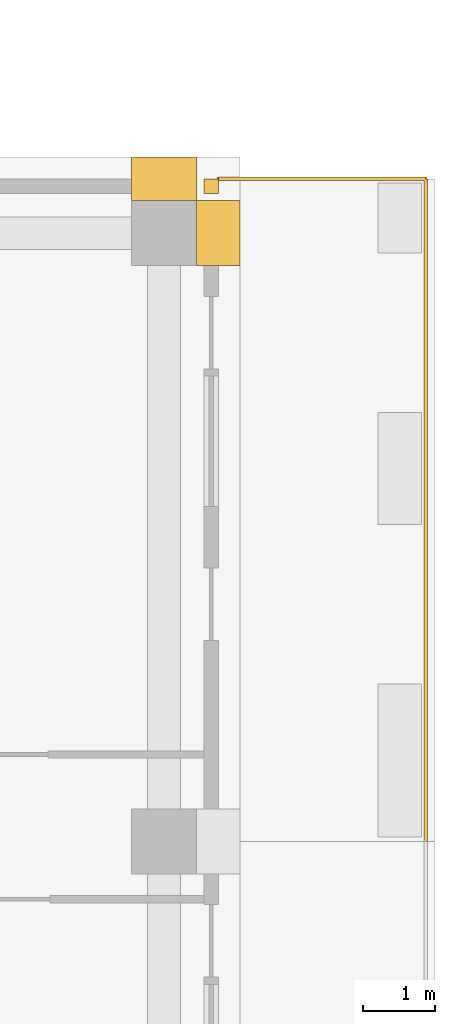
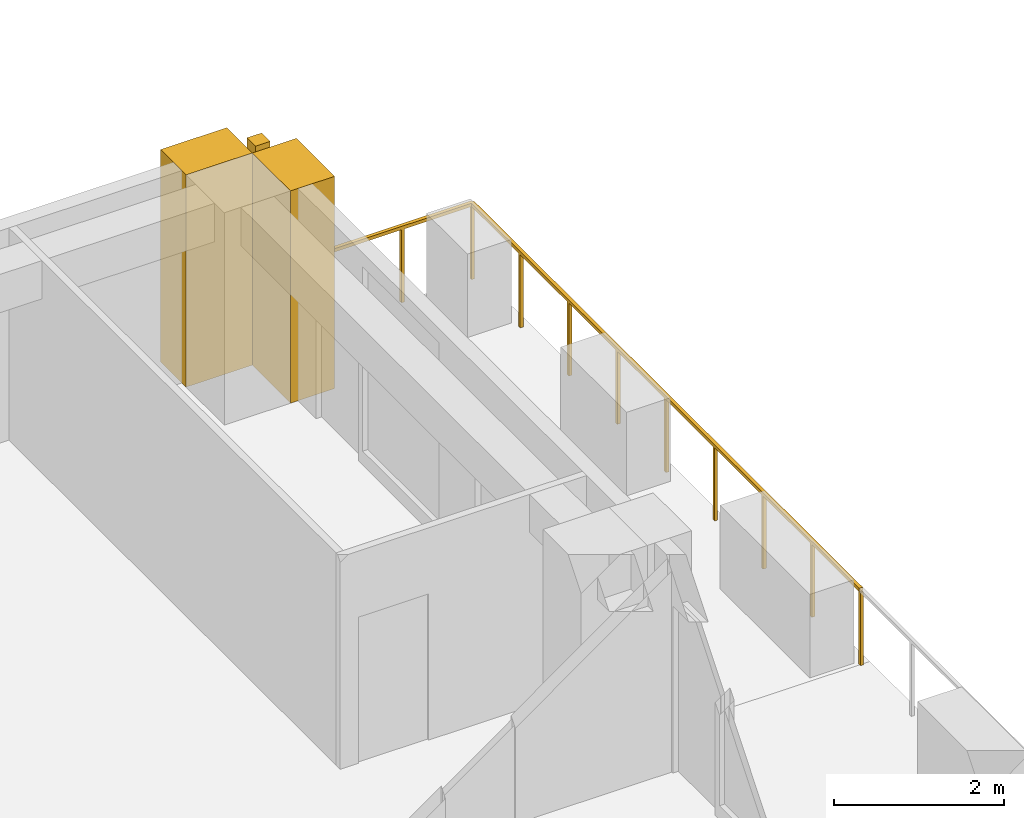
# One storey, part 16 of 16: 3 coverings, 1 railing.
"""IFC4 building model written with IfcOpenShell, lengths in metres."""

from ifc_helpers import new_model, si_unit, direction, frame, origin, origin_2d, place, context, subcontext, project, spatial, polyline, rectangle, outline, extrude, material, type_object, element, save


model = new_model("IFC4")

# Units and contexts
model_context = context("Model", 3, precision=1e-05, world=origin(), true_north=direction((0.0, 1.0)))
body_context = subcontext(model_context, "Body", "Model", "MODEL_VIEW")
ifc_project = project(units=[si_unit("LENGTHUNIT", "METRE"), si_unit("AREAUNIT", "SQUARE_METRE"), si_unit("VOLUMEUNIT", "CUBIC_METRE"), si_unit("PLANEANGLEUNIT", "RADIAN"), si_unit("MASSUNIT", "GRAM", prefix="KILO")], contexts=[model_context])

# Site, building, storey
site_placement = place(None, origin())
site = spatial("IfcSite", under=ifc_project, at=site_placement, CompositionType="ELEMENT")
building_placement = place(site_placement, origin())
building = spatial("IfcBuilding", under=site, at=building_placement, Name="Vermilion Ogive Tower", CompositionType="ELEMENT")
storey_placement = place(building_placement, frame((0.0, 0.0, 251.050048828125)))
storey = spatial("IfcBuildingStorey", under=building, at=storey_placement, Name="L66", CompositionType="ELEMENT", Elevation=251.050048828125)

# Railing
ifc_material_1 = material(Name="Stainless steel and glass", Category="steel")
railing_type = type_object("IfcRailingType", Name="Balcony guard", PredefinedType="GUARDRAIL", material=ifc_material_1)
railing_placement = place(storey_placement, frame((28.813720703125, 4.199951171875, -0.0400390625)))
element("IfcRailing", 1, at=railing_placement, inside=storey, type_object=railing_type, Name="Guard E03", PredefinedType="GUARDRAIL", context=body_context, shape_type="SweptSolid", body=[
    extrude(rectangle(XDim=0.048095703125, YDim=0.048095703125, at=origin_2d()), frame((0.0, 0.0, 1.076171875), z_axis=(0.0, 1.0, 0.0), x_axis=(-1.0, 0.0, 0.0)), (0.0, 0.0, 1.0), 9.150146484375),
    extrude(rectangle(XDim=0.048095703125, YDim=0.048095703125, at=origin_2d()), frame((0.0, 9.150146484375, 1.076171875), z_axis=(-1.0, 0.0, 0.0), x_axis=(0.0, -1.0, 0.0)), (0.0, 0.0, 1.0), 2.86376953125),
    extrude(rectangle(XDim=0.0419921875, YDim=0.0419921875, at=origin_2d()), origin(), (0.0, 0.0, 1.0), 1.052001953125),
    extrude(rectangle(XDim=0.0419921875, YDim=0.0419921875, at=origin_2d()), frame((0.0, 1.143798828125, 0.0)), (0.0, 0.0, 1.0), 1.052001953125),
    extrude(rectangle(XDim=0.0419921875, YDim=0.0419921875, at=origin_2d()), frame((0.0, 2.28759765625, 0.0)), (0.0, 0.0, 1.0), 1.052001953125),
    extrude(rectangle(XDim=0.0419921875, YDim=0.0419921875, at=origin_2d()), frame((0.0, 3.431396484375, 0.0)), (0.0, 0.0, 1.0), 1.052001953125),
    extrude(rectangle(XDim=0.0419921875, YDim=0.0419921875, at=origin_2d()), frame((0.0, 4.5751953125, 0.0)), (0.0, 0.0, 1.0), 1.052001953125),
    extrude(rectangle(XDim=0.0419921875, YDim=0.0419921875, at=origin_2d()), frame((0.0, 5.71875, 0.0)), (0.0, 0.0, 1.0), 1.052001953125),
    extrude(rectangle(XDim=0.0419921875, YDim=0.0419921875, at=origin_2d()), frame((0.0, 6.862548828125, 0.0)), (0.0, 0.0, 1.0), 1.052001953125),
    extrude(rectangle(XDim=0.0419921875, YDim=0.0419921875, at=origin_2d()), frame((0.0, 8.00634765625, 0.0)), (0.0, 0.0, 1.0), 1.052001953125),
    extrude(rectangle(XDim=0.0419921875, YDim=0.0419921875, at=origin_2d()), frame((0.0, 9.150146484375, 0.0)), (0.0, 0.0, 1.0), 1.052001953125),
    extrude(rectangle(XDim=0.0419921875, YDim=0.0419921875, at=origin_2d()), frame((-0.95458984375, 9.150146484375, 0.0)), (0.0, 0.0, 1.0), 1.052001953125),
    extrude(rectangle(XDim=0.0419921875, YDim=0.0419921875, at=origin_2d()), frame((-1.9091796875, 9.150146484375, 0.0)), (0.0, 0.0, 1.0), 1.052001953125),
    extrude(rectangle(XDim=0.0419921875, YDim=0.0419921875, at=origin_2d()), frame((-2.86376953125, 9.150146484375, 0.0)), (0.0, 0.0, 1.0), 1.052001953125),
])

# Coverings
ifc_material_2 = material(Name="Stone cladding", Category="masonry")
covering_type = type_object("IfcCoveringType", Name="Stone pier", PredefinedType="CLADDING", material=ifc_material_2)
covering_1_placement = place(storey_placement, origin())
element("IfcCovering", 2, at=covering_1_placement, inside=storey, type_object=covering_type, Name="Stone corner pier EE1", PredefinedType="CLADDING", context=body_context, shape_type="SweptSolid", body=[
    extrude(outline(polyline([(25.75, 13.14990234375), (25.75, 13.35009765625), (25.949951171875, 13.35009765625), (25.949951171875, 13.14990234375), (25.75, 13.14990234375)])), origin(), (0.0, 0.0, 1.0), 3.050048828125),
])
covering_2_placement = place(storey_placement, origin())
element("IfcCovering", 3, at=covering_2_placement, inside=storey, type_object=covering_type, Name="Stone pier P+0252+126E", PredefinedType="CLADDING", context=body_context, shape_type="SweptSolid", body=[
    extrude(outline(polyline([(26.25, 13.050048828125), (26.25, 12.14990234375), (25.64990234375, 12.14990234375), (25.64990234375, 13.050048828125), (26.25, 13.050048828125)])), origin(), (0.0, 0.0, 1.0), 3.050048828125),
])
covering_3_placement = place(storey_placement, origin())
element("IfcCovering", 4, at=covering_3_placement, inside=storey, type_object=covering_type, Name="Stone pier P+0252+126X3", PredefinedType="CLADDING", context=body_context, shape_type="SweptSolid", body=[
    extrude(outline(polyline([(25.64990234375, 13.64990234375), (25.64990234375, 13.050048828125), (24.75, 13.050048828125), (24.75, 13.64990234375), (25.64990234375, 13.64990234375)])), origin(), (0.0, 0.0, 1.0), 3.050048828125),
])

save(model, "model.ifc")
